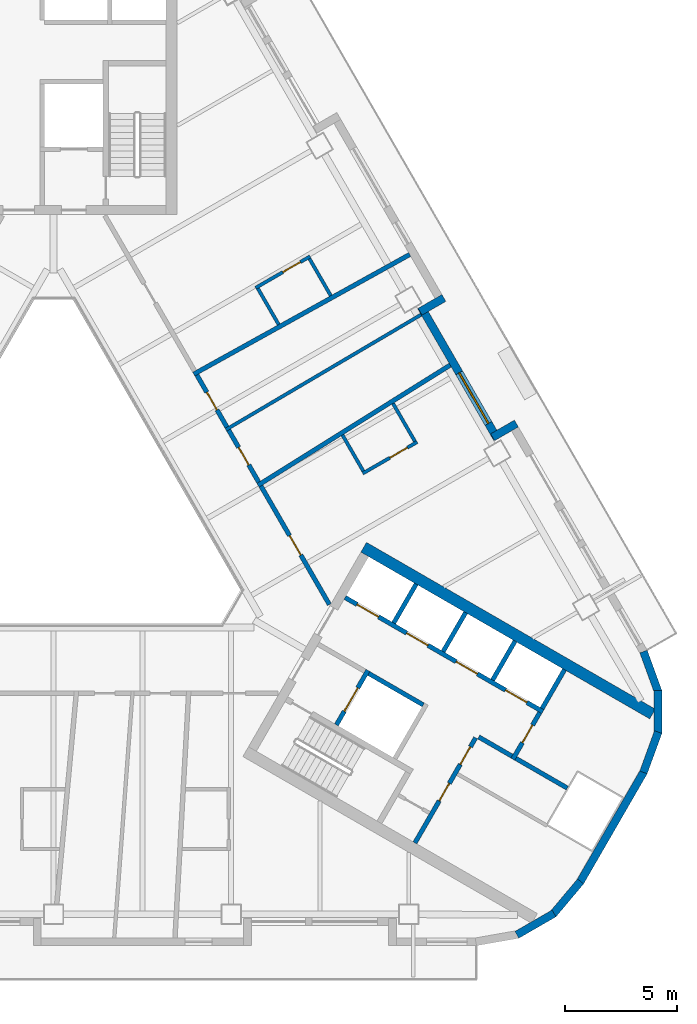
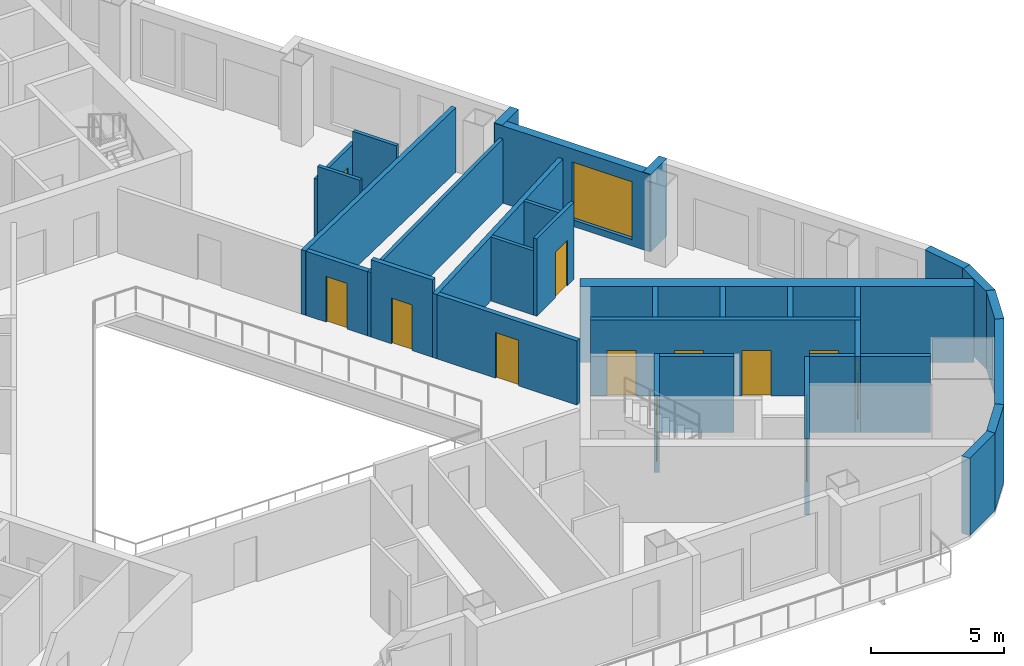
# One storey, part 5 of 13: 33 walls, 13 doors, 1 window, 14 openings.
"""IFC4 building model written with IfcOpenShell, lengths in metres."""

import ifcopenshell
import ifcopenshell.guid

model = None  # the IFC model being written
_history = None  # IfcOwnerHistory: only IFC2X3 demands one
_inside = {}  # id of a spatial element -> (the spatial element, [elements in it])
_under = {}  # id of a project, library or spatial element -> (it, [spatial elements below it])
_declared = {}  # id of a project -> (the project, [libraries it declares])
_typed = {}  # id of a type object -> (the type object, [elements of that type])
_made_of = {}  # id of a material, layer set ... -> (it, [elements and type objects made of it])


def new_model(schema):
    """Start an empty IFC model of exactly this schema.

    Asked for "IFC4X3", IfcOpenShell would pick the latest addendum, in which some entities
    have other attributes; the version numbers below select the first issue.
    IFC2X3 requires an IfcOwnerHistory on every rooted entity: one is made here for all.
    """
    global model, _history
    if schema == "IFC4X3":
        model = ifcopenshell.file(schema_version=(4, 3, 0, 0))
    else:
        model = ifcopenshell.file(schema=schema)
    _inside.clear()
    _under.clear()
    _declared.clear()
    _typed.clear()
    _made_of.clear()
    _history = None
    if model.schema == "IFC2X3":
        org = make("IfcOrganization", Name="unknown")
        user = make(
            "IfcPersonAndOrganization",
            ThePerson=make("IfcPerson", FamilyName="unknown"),
            TheOrganization=org,
        )
        app = make(
            "IfcApplication",
            ApplicationDeveloper=org,
            Version="unknown",
            ApplicationFullName="unknown",
            ApplicationIdentifier="unknown",
        )
        _history = make(
            "IfcOwnerHistory",
            OwningUser=user,
            OwningApplication=app,
            ChangeAction="ADDED",
            CreationDate=0,
        )
    return model


def make(cls, **values):
    """One entity of the class cls with the attributes given. An attribute that is None is left unset."""
    return model.create_entity(
        cls, **{name: value for name, value in values.items() if value is not None}
    )


def rooted(cls, **values):
    """An entity with a GlobalId (a new one), such as an element, a storey or a relation."""
    return make(cls, GlobalId=ifcopenshell.guid.new(), OwnerHistory=_history, **values)


def si_unit(unit_type, name, prefix=None):
    """IfcSIUnit, for example si_unit("LENGTHUNIT", "METRE", prefix="MILLI")."""
    return make("IfcSIUnit", UnitType=unit_type, Prefix=prefix, Name=name)


def assignment(units):
    """IfcUnitAssignment: the units of a project."""
    return None if units is None else make("IfcUnitAssignment", Units=units)


def point(xyz):
    """IfcCartesianPoint."""
    return None if xyz is None else make("IfcCartesianPoint", Coordinates=xyz)


def direction(xyz):
    """IfcDirection."""
    return None if xyz is None else make("IfcDirection", DirectionRatios=xyz)


def frame(location, z_axis=None, x_axis=None):
    """IfcAxis2Placement3D, a coordinate frame: its origin and axes. An axis left out is left unset."""
    return make(
        "IfcAxis2Placement3D",
        Location=point(location),
        Axis=direction(z_axis),
        RefDirection=direction(x_axis),
    )


def frame_2d(location, x_axis=None):
    """IfcAxis2Placement2D, a coordinate frame in the plane: its origin and x axis."""
    return make(
        "IfcAxis2Placement2D", Location=point(location), RefDirection=direction(x_axis)
    )


def origin():
    """The frame at (0, 0, 0) with its axes left unset."""
    return frame((0.0, 0.0, 0.0))


def place(relative_to, where):
    """IfcLocalPlacement: puts the frame where relative to a parent placement (None: the world)."""
    return make(
        "IfcLocalPlacement", PlacementRelTo=relative_to, RelativePlacement=where
    )


def context(
    kind, dimensions, precision=None, world=None, true_north=None, identifier=None
):
    """IfcGeometricRepresentationContext, for example the 3D "Model" context."""
    return make(
        "IfcGeometricRepresentationContext",
        ContextIdentifier=identifier,
        ContextType=kind,
        CoordinateSpaceDimension=dimensions,
        Precision=precision,
        WorldCoordinateSystem=world,
        TrueNorth=true_north,
    )


def subcontext(parent, identifier, kind, view, scale=None):
    """IfcGeometricRepresentationSubContext, for example "Body" below "Model"."""
    return make(
        "IfcGeometricRepresentationSubContext",
        ContextIdentifier=identifier,
        ContextType=kind,
        ParentContext=parent,
        TargetScale=scale,
        TargetView=view,
    )


def project(units=None, contexts=None):
    """IfcProject with its units and contexts."""
    return rooted(
        "IfcProject",
        Name="project",
        RepresentationContexts=contexts,
        UnitsInContext=assignment(units),
    )


def spatial(cls, under=None, at=None, **own):
    """A site, building, storey or space (cls), placed at a placement, below another one or the project."""
    s = rooted(cls, ObjectPlacement=at, **own)
    if under is not None:
        _under.setdefault(under.id(), (under, []))[1].append(s)
    return s


def profile(cls, at=None, kind="AREA", **sizes):
    """A parametric profile (cls). Its sizes go by their IFC names, for example OverallWidth=200.0."""
    return make(cls, ProfileType=kind, Position=at, **sizes)


def rectangle(**sizes):
    """IfcRectangleProfileDef."""
    return profile("IfcRectangleProfileDef", **sizes)


def extrude(swept, where, along, depth):
    """IfcExtrudedAreaSolid: the profile swept, set in the frame where, extruded along a direction by depth."""
    return make(
        "IfcExtrudedAreaSolid",
        SweptArea=swept,
        Position=where,
        ExtrudedDirection=direction(along),
        Depth=depth,
    )


def shape(context_of_items, identifier, shape_type, items):
    """IfcShapeRepresentation: the items that make up one representation, for example the "Body"."""
    return make(
        "IfcShapeRepresentation",
        ContextOfItems=context_of_items,
        RepresentationIdentifier=identifier,
        RepresentationType=shape_type,
        Items=items,
    )


def material(Name=None, Category=None):
    """IfcMaterial."""
    return make("IfcMaterial", Name=Name, Category=Category)


def layer(
    of_material, thickness, ventilated=None, Name=None, Category=None, Priority=None
):
    """IfcMaterialLayer: one layer of a wall or slab, of a material (None: an air gap)."""
    return make(
        "IfcMaterialLayer",
        Material=of_material,
        LayerThickness=thickness,
        IsVentilated=ventilated,
        Name=Name,
        Category=Category,
        Priority=Priority,
    )


def layer_set(layers, Name=None):
    """IfcMaterialLayerSet."""
    return make("IfcMaterialLayerSet", MaterialLayers=layers, LayerSetName=Name)


def made_of(thing, what):
    """Note that an element or type object is made of a material, layer set ...; save() writes the relation."""
    if what is not None:
        _made_of.setdefault(what.id(), (what, []))[1].append(thing)
    return thing


def type_object(cls, material=None, **own):
    """A type object (cls), such as IfcWallType, which elements share."""
    return made_of(rooted(cls, **own), material)


def element(
    cls,
    number,
    at=None,
    inside=None,
    cuts=None,
    type_object=None,
    material=None,
    context=None,
    identifier="Body",
    shape_type=None,
    held_by="IfcProductDefinitionShape",
    body=None,
    shapes=None,
    **own,
):
    """One element of the class cls, such as IfcWall. Its Tag is "e" and its number.

    at: its placement. inside: the storey or other place that contains it. cuts: it is an
    opening in that element (IfcRelVoidsElement). A single representation is given by context,
    identifier, shape_type and body (its items); several are given by shapes. held_by: the class
    of the entity that holds the representations. save() writes the other relations.
    """
    e = rooted(cls, Tag="e%d" % number, ObjectPlacement=at, **own)
    if body is not None:
        shapes = [shape(context, identifier, shape_type, body)]
    if shapes is not None:
        e.Representation = make(held_by, Representations=shapes)
    if inside is not None:
        _inside.setdefault(inside.id(), (inside, []))[1].append(e)
    if cuts is not None:
        rooted(
            "IfcRelVoidsElement", RelatingBuildingElement=cuts, RelatedOpeningElement=e
        )
    if type_object is not None:
        _typed.setdefault(type_object.id(), (type_object, []))[1].append(e)
    return made_of(e, material)


def fill(opening, filler):
    """IfcRelFillsElement: the door or window that sits in an opening."""
    return rooted(
        "IfcRelFillsElement",
        RelatingOpeningElement=opening,
        RelatedBuildingElement=filler,
    )


def aggregate(whole, parts):
    """IfcRelAggregates: a whole, such as a stair, and the parts it consists of."""
    return rooted("IfcRelAggregates", RelatingObject=whole, RelatedObjects=parts)


def save(model, path):
    """Write the relations noted so far, then the file.

    IfcRelAggregates (storeys below a building ...), IfcRelContainedInSpatialStructure (elements
    in a storey), IfcRelDefinesByType, IfcRelAssociatesMaterial and IfcRelDeclares: one each for
    every whole, place, type object, material and project.
    """
    for whole, parts in _under.values():
        aggregate(whole, parts)
    for where, things in _inside.values():
        rooted(
            "IfcRelContainedInSpatialStructure",
            RelatedElements=things,
            RelatingStructure=where,
        )
    for kind, things in _typed.values():
        rooted("IfcRelDefinesByType", RelatedObjects=things, RelatingType=kind)
    for what, things in _made_of.values():
        rooted("IfcRelAssociatesMaterial", RelatedObjects=things, RelatingMaterial=what)
    for by, libraries in _declared.values():
        rooted("IfcRelDeclares", RelatingContext=by, RelatedDefinitions=libraries)
    model.write(path)


model = new_model("IFC4")

# Units and contexts
model_context = context("Model", 3, precision=1e-05, world=origin(), true_north=direction((0.0, 1.0)))
body_context = subcontext(model_context, "Body", "Model", "MODEL_VIEW")
ifc_project = project(units=[si_unit("LENGTHUNIT", "METRE"), si_unit("AREAUNIT", "SQUARE_METRE"), si_unit("VOLUMEUNIT", "CUBIC_METRE"), si_unit("PLANEANGLEUNIT", "RADIAN"), si_unit("MASSUNIT", "GRAM", prefix="KILO")], contexts=[model_context])

# Site, building, storey
site_placement = place(None, origin())
site = spatial("IfcSite", under=ifc_project, at=site_placement, CompositionType="ELEMENT")
building_placement = place(site_placement, origin())
building = spatial("IfcBuilding", under=site, at=building_placement, Name="Apuvela Tower Hotel", CompositionType="ELEMENT")
storey_placement = place(building_placement, frame((0.0, 0.0, 124.199951171875)))
storey = spatial("IfcBuildingStorey", under=building, at=storey_placement, Name="L29", CompositionType="ELEMENT", Elevation=124.199951171875)

# Wall
ifc_material_1 = material(Name="Concrete C50/60", Category="concrete")
ifc_layer_1 = layer(ifc_material_1, 0.5)
ifc_layer_set_1 = layer_set([ifc_layer_1], Name="COR-WALL-CORE-500")
wall_type_1 = type_object("IfcWallType", Name="COR-WALL-CORE-500", PredefinedType="SHEAR", material=ifc_layer_set_1)
wall_1_placement = place(storey_placement, frame((13.796630859375, -1.9033203125, 0.0), z_axis=(0.0, 0.0, 1.0), x_axis=(0.866025009528, -0.500000682871, 0.0)))
element("IfcWall", 1, at=wall_1_placement, inside=storey, type_object=wall_type_1, Name="Core wall SE", PredefinedType="SHEAR", context=body_context, shape_type="SweptSolid", body=[
    extrude(rectangle(XDim=14.8369140625, YDim=0.5, at=frame_2d((7.41845703125, 0.0))), origin(), (0.0, 0.0, 1.0), 3.5),
])

# Wall, openings, doors
ifc_material_2 = material(Name="Blockwork 200 mm plastered", Category="masonry")
ifc_layer_2 = layer(ifc_material_2, 0.199951171875)
ifc_layer_set_2 = layer_set([ifc_layer_2], Name="COR-WALL-PART-200")
wall_type_2 = type_object("IfcWallType", Name="COR-WALL-PART-200", PredefinedType="PARTITIONING", material=ifc_layer_set_2)
wall_2_placement = place(storey_placement, frame((16.076171875, -15.05517578125, 0.0), z_axis=(0.0, 0.0, 1.0), x_axis=(0.499995103361, 0.866028230842, 0.0)))
wall_2 = element("IfcWall", 2, at=wall_2_placement, inside=storey, type_object=wall_type_2, Name="Partition SE", PredefinedType="PARTITIONING", context=body_context, shape_type="SweptSolid", body=[
    extrude(rectangle(XDim=5.39990234375, YDim=0.199951171875, at=frame_2d((2.699951171875, 0.0))), origin(), (0.0, 0.0, 1.0), 3.5),
])
opening_1_placement = place(wall_2_placement, frame((2.16259765625, 0.0, 0.0)))
opening_1 = element("IfcOpeningElement", 3, at=opening_1_placement, cuts=wall_2, Name="Opening E-RS1", PredefinedType="OPENING", context=body_context, shape_type="SweptSolid", body=[
    extrude(rectangle(XDim=0.89990234375, YDim=2.10009765625, at=frame_2d((0.449951171875, 1.050048828125))), frame((0.0, 0.10986328125, 0.0), z_axis=(0.0, -1.0, 0.0), x_axis=(1.0, 0.0, 0.0)), (0.0, 0.0, 1.0), 0.219970703125),
])
opening_2_placement = place(wall_2_placement, frame((4.03759765625, 0.0, 0.0)))
opening_2 = element("IfcOpeningElement", 4, at=opening_2_placement, cuts=wall_2, Name="Opening E-RS2", PredefinedType="OPENING", context=body_context, shape_type="SweptSolid", body=[
    extrude(rectangle(XDim=0.89990234375, YDim=2.10009765625, at=frame_2d((0.449951171875, 1.050048828125))), frame((0.0, 0.10986328125, 0.0), z_axis=(0.0, -1.0, 0.0), x_axis=(1.0, 0.0, 0.0)), (0.0, 0.0, 1.0), 0.219970703125),
])
ifc_material_3 = material(Name="Steel fire door, powder coated", Category="steel")
door_type_1 = type_object("IfcDoorType", Name="COR-DR-900", OperationType="NOTDEFINED", PredefinedType="DOOR", material=ifc_material_3)
door_1_placement = place(opening_1_placement, frame((0.89990234375, 0.0, 0.0), z_axis=(0.0, 0.0, 1.0), x_axis=(-1.0, 0.0, 0.0)))
door_1 = element("IfcDoor", 5, at=door_1_placement, inside=storey, type_object=door_type_1, Name="Store door E-RS1", OperationType="SINGLE_SWING_LEFT", OverallHeight=2.10009765625, OverallWidth=0.89990234375, PredefinedType="DOOR", context=body_context, shape_type="SweptSolid", body=[
    extrude(rectangle(XDim=0.89990234375, YDim=2.10009765625, at=frame_2d((0.449951171875, 1.050048828125))), frame((0.0, 0.02490234375, 0.0), z_axis=(0.0, -1.0, 0.0), x_axis=(1.0, 0.0, 0.0)), (0.0, 0.0, 1.0), 0.050048828125),
])
fill(opening_1, door_1)
door_2_placement = place(opening_2_placement, frame((0.89990234375, 0.0, 0.0), z_axis=(0.0, 0.0, 1.0), x_axis=(-1.0, 0.0, 0.0)))
door_2 = element("IfcDoor", 6, at=door_2_placement, inside=storey, type_object=door_type_1, Name="Store door E-RS2", OperationType="SINGLE_SWING_LEFT", OverallHeight=2.10009765625, OverallWidth=0.89990234375, PredefinedType="DOOR", context=body_context, shape_type="SweptSolid", body=[
    extrude(rectangle(XDim=0.89990234375, YDim=2.10009765625, at=frame_2d((0.449951171875, 1.050048828125))), frame((0.0, 0.02490234375, 0.0), z_axis=(0.0, -1.0, 0.0), x_axis=(1.0, 0.0, 0.0)), (0.0, 0.0, 1.0), 0.050048828125),
])
fill(opening_2, door_2)

# Wall, opening, door
ifc_layer_3 = layer(ifc_material_1, 0.199951171875)
ifc_layer_set_3 = layer_set([ifc_layer_3], Name="COR-WALL-SHAFT-200")
wall_type_3 = type_object("IfcWallType", Name="COR-WALL-SHAFT-200", PredefinedType="SHEAR", material=ifc_layer_set_3)
wall_3_placement = place(storey_placement, frame((12.583251953125, -9.805419921875, 0.0), z_axis=(0.0, 0.0, 1.0), x_axis=(0.49994636267, 0.866056369097, 0.0)))
wall_3 = element("IfcWall", 7, at=wall_3_placement, inside=storey, type_object=wall_type_3, Name="Shaft wall SE", PredefinedType="SHEAR", context=body_context, shape_type="SweptSolid", body=[
    extrude(rectangle(XDim=2.800048828125, YDim=0.199951171875, at=frame_2d((1.39990234375, 0.0))), origin(), (0.0, 0.0, 1.0), 3.5),
])
opening_3_placement = place(wall_3_placement, frame((0.699951171875, 0.0, 0.0)))
opening_3 = element("IfcOpeningElement", 8, at=opening_3_placement, cuts=wall_3, Name="Opening E-LD-FS3", PredefinedType="OPENING", context=body_context, shape_type="SweptSolid", body=[
    extrude(rectangle(XDim=1.199951171875, YDim=2.10009765625, at=frame_2d((0.60009765625, 1.050048828125))), frame((0.0, 0.10986328125, 0.0), z_axis=(0.0, -1.0, 0.0), x_axis=(1.0, 0.0, 0.0)), (0.0, 0.0, 1.0), 0.219970703125),
])
ifc_material_4 = material(Name="Stainless steel lift landing door", Category="steel")
door_type_2 = type_object("IfcDoorType", Name="COR-LD-1200", OperationType="DOUBLE_DOOR_SLIDING", PredefinedType="DOOR", material=ifc_material_4)
door_3_placement = place(opening_3_placement, origin())
door_3 = element("IfcDoor", 9, at=door_3_placement, inside=storey, type_object=door_type_2, Name="Lift landing door E-LD-FS3", OperationType="DOUBLE_DOOR_SLIDING", OverallHeight=2.10009765625, OverallWidth=1.199951171875, PredefinedType="DOOR", context=body_context, shape_type="SweptSolid", body=[
    extrude(rectangle(XDim=1.199951171875, YDim=2.10009765625, at=frame_2d((0.60009765625, 1.050048828125))), frame((0.0, 0.02490234375, 0.0), z_axis=(0.0, -1.0, 0.0), x_axis=(1.0, 0.0, 0.0)), (0.0, 0.0, 1.0), 0.050048828125),
])
fill(opening_3, door_3)

# Wall
wall_4_placement = place(storey_placement, frame((14.019775390625, -7.51708984375, 0.0), z_axis=(0.0, 0.0, 1.0), x_axis=(0.866034573852, -0.49998411664, 0.0)))
element("IfcWall", 10, at=wall_4_placement, inside=storey, type_object=wall_type_3, Name="Shaft wall SE", PredefinedType="SHEAR", context=body_context, shape_type="SweptSolid", body=[
    extrude(rectangle(XDim=2.7998046875, YDim=0.199951171875, at=frame_2d((1.39990234375, 0.0))), origin(), (0.0, 0.0, 1.0), 3.5),
])

# Wall, openings, doors
wall_5_placement = place(storey_placement, frame((12.968017578125, -4.138427734375, 0.0), z_axis=(0.0, 0.0, 1.0), x_axis=(0.866028328073, -0.49999493495, 0.0)))
wall_5 = element("IfcWall", 11, at=wall_5_placement, inside=storey, type_object=wall_type_3, Name="Shaft wall SE", PredefinedType="SHEAR", context=body_context, shape_type="SweptSolid", body=[
    extrude(rectangle(XDim=10.16015625, YDim=0.199951171875, at=frame_2d((5.080078125, 0.0))), origin(), (0.0, 0.0, 1.0), 3.5),
])
opening_4_placement = place(wall_5_placement, frame((0.6201171875, 0.0, 0.0)))
opening_4 = element("IfcOpeningElement", 12, at=opening_4_placement, cuts=wall_5, Name="Opening E-LD-LR1", PredefinedType="OPENING", context=body_context, shape_type="SweptSolid", body=[
    extrude(rectangle(XDim=1.10009765625, YDim=2.10009765625, at=frame_2d((0.550048828125, 1.050048828125))), frame((0.0, 0.10986328125, 0.0), z_axis=(0.0, -1.0, 0.0), x_axis=(1.0, 0.0, 0.0)), (0.0, 0.0, 1.0), 0.219970703125),
])
opening_5_placement = place(wall_5_placement, frame((3.159912109375, 0.0, 0.0)))
opening_5 = element("IfcOpeningElement", 13, at=opening_5_placement, cuts=wall_5, Name="Opening E-LD-LR2", PredefinedType="OPENING", context=body_context, shape_type="SweptSolid", body=[
    extrude(rectangle(XDim=1.10009765625, YDim=2.10009765625, at=frame_2d((0.550048828125, 1.050048828125))), frame((0.0, 0.10986328125, 0.0), z_axis=(0.0, -1.0, 0.0), x_axis=(1.0, 0.0, 0.0)), (0.0, 0.0, 1.0), 0.219970703125),
])
opening_6_placement = place(wall_5_placement, frame((5.699951171875, 0.0, 0.0)))
opening_6 = element("IfcOpeningElement", 14, at=opening_6_placement, cuts=wall_5, Name="Opening E-LD-LR3", PredefinedType="OPENING", context=body_context, shape_type="SweptSolid", body=[
    extrude(rectangle(XDim=1.10009765625, YDim=2.10009765625, at=frame_2d((0.550048828125, 1.050048828125))), frame((0.0, 0.10986328125, 0.0), z_axis=(0.0, -1.0, 0.0), x_axis=(1.0, 0.0, 0.0)), (0.0, 0.0, 1.0), 0.219970703125),
])
opening_7_placement = place(wall_5_placement, frame((8.239990234375, 0.0, 0.0)))
opening_7 = element("IfcOpeningElement", 15, at=opening_7_placement, cuts=wall_5, Name="Opening E-LD-LR4", PredefinedType="OPENING", context=body_context, shape_type="SweptSolid", body=[
    extrude(rectangle(XDim=1.10009765625, YDim=2.10009765625, at=frame_2d((0.550048828125, 1.050048828125))), frame((0.0, 0.10986328125, 0.0), z_axis=(0.0, -1.0, 0.0), x_axis=(1.0, 0.0, 0.0)), (0.0, 0.0, 1.0), 0.219970703125),
])
door_type_3 = type_object("IfcDoorType", Name="COR-LD-1100", OperationType="DOUBLE_DOOR_SLIDING", PredefinedType="DOOR", material=ifc_material_4)
door_4_placement = place(opening_4_placement, origin())
door_4 = element("IfcDoor", 16, at=door_4_placement, inside=storey, type_object=door_type_3, Name="Lift landing door E-LD-LR1", OperationType="DOUBLE_DOOR_SLIDING", OverallHeight=2.10009765625, OverallWidth=1.10009765625, PredefinedType="DOOR", context=body_context, shape_type="SweptSolid", body=[
    extrude(rectangle(XDim=1.10009765625, YDim=2.10009765625, at=frame_2d((0.550048828125, 1.050048828125))), frame((0.0, 0.02490234375, 0.0), z_axis=(0.0, -1.0, 0.0), x_axis=(1.0, 0.0, 0.0)), (0.0, 0.0, 1.0), 0.050048828125),
])
fill(opening_4, door_4)
door_5_placement = place(opening_5_placement, origin())
door_5 = element("IfcDoor", 17, at=door_5_placement, inside=storey, type_object=door_type_3, Name="Lift landing door E-LD-LR2", OperationType="DOUBLE_DOOR_SLIDING", OverallHeight=2.10009765625, OverallWidth=1.10009765625, PredefinedType="DOOR", context=body_context, shape_type="SweptSolid", body=[
    extrude(rectangle(XDim=1.10009765625, YDim=2.10009765625, at=frame_2d((0.550048828125, 1.050048828125))), frame((0.0, 0.02490234375, 0.0), z_axis=(0.0, -1.0, 0.0), x_axis=(1.0, 0.0, 0.0)), (0.0, 0.0, 1.0), 0.050048828125),
])
fill(opening_5, door_5)
door_6_placement = place(opening_6_placement, origin())
door_6 = element("IfcDoor", 18, at=door_6_placement, inside=storey, type_object=door_type_3, Name="Lift landing door E-LD-LR3", OperationType="DOUBLE_DOOR_SLIDING", OverallHeight=2.10009765625, OverallWidth=1.10009765625, PredefinedType="DOOR", context=body_context, shape_type="SweptSolid", body=[
    extrude(rectangle(XDim=1.10009765625, YDim=2.10009765625, at=frame_2d((0.550048828125, 1.050048828125))), frame((0.0, 0.02490234375, 0.0), z_axis=(0.0, -1.0, 0.0), x_axis=(1.0, 0.0, 0.0)), (0.0, 0.0, 1.0), 0.050048828125),
])
fill(opening_6, door_6)
door_7_placement = place(opening_7_placement, origin())
door_7 = element("IfcDoor", 19, at=door_7_placement, inside=storey, type_object=door_type_3, Name="Lift landing door E-LD-LR4", OperationType="DOUBLE_DOOR_SLIDING", OverallHeight=2.10009765625, OverallWidth=1.10009765625, PredefinedType="DOOR", context=body_context, shape_type="SweptSolid", body=[
    extrude(rectangle(XDim=1.10009765625, YDim=2.10009765625, at=frame_2d((0.550048828125, 1.050048828125))), frame((0.0, 0.02490234375, 0.0), z_axis=(0.0, -1.0, 0.0), x_axis=(1.0, 0.0, 0.0)), (0.0, 0.0, 1.0), 0.050048828125),
])
fill(opening_7, door_7)

# Wall, opening, door
wall_6_placement = place(storey_placement, frame((20.430419921875, -11.33349609375, 0.0), z_axis=(0.0, 0.0, 1.0), x_axis=(0.500001309137, 0.866024647952, 0.0)))
wall_6 = element("IfcWall", 20, at=wall_6_placement, inside=storey, type_object=wall_type_3, Name="Shaft wall SE", PredefinedType="SHEAR", context=body_context, shape_type="SweptSolid", body=[
    extrude(rectangle(XDim=2.39990234375, YDim=0.199951171875, at=frame_2d((1.199951171875, 0.0))), origin(), (0.0, 0.0, 1.0), 3.5),
])
opening_8_placement = place(wall_6_placement, frame((0.85009765625, 0.0, 0.0)))
opening_8 = element("IfcOpeningElement", 21, at=opening_8_placement, cuts=wall_6, Name="Opening E-REP", PredefinedType="OPENING", context=body_context, shape_type="SweptSolid", body=[
    extrude(rectangle(XDim=0.89990234375, YDim=2.10009765625, at=frame_2d((0.449951171875, 1.050048828125))), frame((0.0, 0.10986328125, 0.0), z_axis=(0.0, -1.0, 0.0), x_axis=(1.0, 0.0, 0.0)), (0.0, 0.0, 1.0), 0.219970703125),
])
door_8_placement = place(opening_8_placement, frame((0.89990234375, 0.0, 0.0), z_axis=(0.0, 0.0, 1.0), x_axis=(-1.0, 0.0, 0.0)))
door_8 = element("IfcDoor", 22, at=door_8_placement, inside=storey, type_object=door_type_1, Name="Store door E-REP", OperationType="SINGLE_SWING_RIGHT", OverallHeight=2.10009765625, OverallWidth=0.89990234375, PredefinedType="DOOR", context=body_context, shape_type="SweptSolid", body=[
    extrude(rectangle(XDim=0.89990234375, YDim=2.10009765625, at=frame_2d((0.449951171875, 1.050048828125))), frame((0.0, 0.02490234375, 0.0), z_axis=(0.0, -1.0, 0.0), x_axis=(1.0, 0.0, 0.0)), (0.0, 0.0, 1.0), 0.050048828125),
])
fill(opening_8, door_8)

# Walls
wall_7_placement = place(storey_placement, frame((18.912841796875, -10.342041015625, 0.0), z_axis=(0.0, 0.0, 1.0), x_axis=(0.866038183914, -0.499977863513, 0.0)))
element("IfcWall", 23, at=wall_7_placement, inside=storey, type_object=wall_type_3, Name="Shaft wall SE", PredefinedType="SHEAR", context=body_context, shape_type="SweptSolid", body=[
    extrude(rectangle(XDim=1.7099609375, YDim=0.199951171875, at=frame_2d((0.85498046875, 0.0))), origin(), (0.0, 0.0, 1.0), 3.5),
])
for number, where, z_axis, x_axis, name in (
    (24, (15.131103515625, -5.27197265625, 0.0), (0.0, 0.0, 1.0), (0.499972520799, 0.866041268327, 0.0), "Shaft wall SE"),
    (25, (17.330810546875, -6.5419921875, 0.0), (0.0, 0.0, 1.0), (0.499972520799, 0.866041268327, 0.0), "Shaft wall SE"),
    (26, (19.530517578125, -7.81201171875, 0.0), (0.0, 0.0, 1.0), (0.499972520799, 0.866041268327, 0.0), "Shaft wall SE"),
    (27, (21.73046875, -9.081787109375, 0.0), (0.0, 0.0, 1.0), (0.50002537861, 0.866010750942, 0.0), "Shaft wall SE"),
):
    element("IfcWall", number, at=place(storey_placement, frame(where, z_axis=z_axis, x_axis=x_axis)), inside=storey, type_object=wall_type_3, Name=name, PredefinedType="SHEAR", context=body_context, shape_type="SweptSolid", body=[
        extrude(rectangle(XDim=2.0, YDim=0.199951171875, at=frame_2d((1.0, 0.0))), origin(), (0.0, 0.0, 1.0), 3.5),
    ])
wall_8_placement = place(storey_placement, frame((20.56689453125, -11.297119140625, 0.0), z_axis=(0.0, 0.0, 1.0), x_axis=(0.866060851709, -0.499938597367, 0.0)))
element("IfcWall", 28, at=wall_8_placement, inside=storey, type_object=wall_type_3, Name="Shaft wall SE", PredefinedType="SHEAR", context=body_context, shape_type="SweptSolid", body=[
    extrude(rectangle(XDim=2.639892578125, YDim=0.199951171875, at=frame_2d((1.31982421875, 0.0))), origin(), (0.0, 0.0, 1.0), 3.5),
])
ifc_material_5 = material(Name="Concrete C40/50, dark pigmented precast panel", Category="concrete")
ifc_layer_4 = layer(ifc_material_5, 0.35009765625)
ifc_layer_set_4 = layer_set([ifc_layer_4], Name="ENV-WALL-350")
wall_type_4 = type_object("IfcWallType", Name="ENV-WALL-350", PredefinedType="SOLIDWALL", material=ifc_layer_set_4)
for number, where, z_axis, x_axis, name in (
    (29, (20.609619140625, -19.146728515625, 0.0), (0.0, 0.0, 1.0), (0.866000389056, 0.500043324278, 0.0), "External wall L29-27"),
    (30, (22.21728515625, -18.230712890625, 0.0), (0.0, 0.0, 1.0), (0.642733291068, 0.76609001857, 0.0), "External wall L29-28"),
):
    element("IfcWall", number, at=place(storey_placement, frame(where, z_axis=z_axis, x_axis=x_axis)), inside=storey, type_object=wall_type_4, Name=name, PredefinedType="SOLIDWALL", context=body_context, shape_type="SweptSolid", body=[
        extrude(rectangle(XDim=1.909912109375, YDim=0.35009765625, at=frame_2d((0.955078125, 0.0))), origin(), (0.0, 0.0, 1.0), 3.550048828125),
    ])
wall_9_placement = place(storey_placement, frame((23.427490234375, -16.79248046875, 0.0), z_axis=(0.0, 0.0, 1.0), x_axis=(0.500018773155, 0.866014564827, 0.0)))
element("IfcWall", 31, at=wall_9_placement, inside=storey, type_object=wall_type_4, Name="External wall L29-29", PredefinedType="SOLIDWALL", context=body_context, shape_type="SweptSolid", body=[
    extrude(rectangle(XDim=5.657958984375, YDim=0.35009765625, at=frame_2d((2.8291015625, 0.0))), origin(), (0.0, 0.0, 1.0), 3.550048828125),
])
for number, where, z_axis, x_axis, name in (
    (32, (26.24365234375, -11.920166015625, 0.0), (0.0, 0.0, 1.0), (0.342030395486, 0.939688889242, 0.0), "External wall L29-30"),
    (33, (26.88623046875, -10.18505859375, 0.0), (0.0, 0.0, 1.0), (0.0, 1.0, 0.0), "External wall L29-31"),
    (34, (26.89697265625, -8.334716796875, 0.0), (0.0, 0.0, 1.0), (-0.342030395486, 0.939688889242, 0.0), "External wall L29-32"),
):
    element("IfcWall", number, at=place(storey_placement, frame(where, z_axis=z_axis, x_axis=x_axis)), inside=storey, type_object=wall_type_4, Name=name, PredefinedType="SOLIDWALL", context=body_context, shape_type="SweptSolid", body=[
        extrude(rectangle(XDim=1.91015625, YDim=0.35009765625, at=frame_2d((0.955078125, 0.0))), origin(), (0.0, 0.0, 1.0), 3.550048828125),
    ])
wall_10_placement = place(storey_placement, frame((20.587646484375, 3.601318359375, 0.0), z_axis=(0.0, 0.0, 1.0), x_axis=(-0.866005645448, -0.500034220881, 0.0)))
element("IfcWall", 35, at=wall_10_placement, inside=storey, type_object=wall_type_4, Name="External wall L29-34", PredefinedType="SOLIDWALL", context=body_context, shape_type="SweptSolid", body=[
    extrude(rectangle(XDim=1.22021484375, YDim=0.35009765625, at=frame_2d((0.610107421875, 0.0))), origin(), (0.0, 0.0, 1.0), 3.550048828125),
])

# Wall, opening, window
wall_11_placement = place(storey_placement, frame((19.72900390625, 2.93798828125, 0.0), z_axis=(0.0, 0.0, 1.0), x_axis=(-0.499976430342, 0.866039011305, 0.0)))
wall_11 = element("IfcWall", 36, at=wall_11_placement, inside=storey, type_object=wall_type_4, Name="External wall L29-35", PredefinedType="SOLIDWALL", context=body_context, shape_type="SweptSolid", body=[
    extrude(rectangle(XDim=6.739990234375, YDim=0.35009765625, at=frame_2d((3.3701171875, 0.0))), origin(), (0.0, 0.0, 1.0), 3.550048828125),
])
opening_9_placement = place(wall_11_placement, frame((0.77001953125, 0.0, 0.300048828125)))
opening_9 = element("IfcOpeningElement", 37, at=opening_9_placement, cuts=wall_11, Name="Opening WN26", PredefinedType="OPENING", context=body_context, shape_type="SweptSolid", body=[
    extrude(rectangle(XDim=2.60009765625, YDim=2.64990234375, at=frame_2d((1.300048828125, 1.324951171875))), frame((0.0, 0.18505859375, 0.0), z_axis=(0.0, -1.0, 0.0), x_axis=(1.0, 0.0, 0.0)), (0.0, 0.0, 1.0), 0.3701171875),
])
ifc_material_6 = material(Name="Glass, dark tinted laminated insulated glazing unit", Category="glass")
window_type = type_object("IfcWindowType", Name="ENV-WIN-2600x2650", PartitioningType="SINGLE_PANEL", PredefinedType="WINDOW", material=ifc_material_6)
window_placement = place(opening_9_placement, origin())
window = element("IfcWindow", 38, at=window_placement, inside=storey, type_object=window_type, Name="Window WN26", OverallHeight=2.64990234375, OverallWidth=2.60009765625, PartitioningType="SINGLE_PANEL", PredefinedType="WINDOW", context=body_context, shape_type="SweptSolid", body=[
    extrude(rectangle(XDim=2.60009765625, YDim=2.64990234375, at=frame_2d((1.300048828125, 1.324951171875))), frame((0.0, 0.030029296875, 0.0), z_axis=(0.0, -1.0, 0.0), x_axis=(1.0, 0.0, 0.0)), (0.0, 0.0, 1.0), 0.06005859375),
])
fill(opening_9, window)

# Walls
wall_12_placement = place(storey_placement, frame((16.305908203125, 8.5771484375, 0.0), z_axis=(0.0, 0.0, 1.0), x_axis=(0.866092288191, 0.499884134912, 0.0)))
element("IfcWall", 39, at=wall_12_placement, inside=storey, type_object=wall_type_4, Name="External wall L29-36", PredefinedType="SOLIDWALL", context=body_context, shape_type="SweptSolid", body=[
    extrude(rectangle(XDim=1.219970703125, YDim=0.35009765625, at=frame_2d((0.60986328125, 0.0))), origin(), (0.0, 0.0, 1.0), 3.550048828125),
])
ifc_material_7 = material(Name="Gypsum board partition on twin steel stud", Category="steel")
ifc_layer_5 = layer(ifc_material_7, 0.199951171875)
ifc_layer_set_5 = layer_set([ifc_layer_5], Name="GST-PW1")
wall_type_5 = type_object("IfcWallType", Name="GST-PW1", PredefinedType="PARTITIONING", material=ifc_layer_set_5)
wall_13_placement = place(storey_placement, frame((17.643310546875, 6.20068359375, 0.0), z_axis=(0.0, 0.0, 1.0), x_axis=(-0.84787317287, -0.530199097252, 0.0)))
element("IfcWall", 40, at=wall_13_placement, inside=storey, type_object=wall_type_5, Name="L29 partition 03", PredefinedType="PARTITIONING", context=body_context, shape_type="SweptSolid", body=[
    extrude(rectangle(XDim=10.086181640625, YDim=0.199951171875, at=frame_2d((5.04296875, 0.0))), origin(), (0.0, 0.0, 1.0), 2.949951171875),
])
wall_14_placement = place(storey_placement, frame((15.842041015625, 11.120849609375, 0.0), z_axis=(0.0, 0.0, 1.0), x_axis=(-0.87471248602, -0.484642204931, 0.0)))
element("IfcWall", 41, at=wall_14_placement, inside=storey, type_object=wall_type_5, Name="L29 partition 04", PredefinedType="PARTITIONING", context=body_context, shape_type="SweptSolid", body=[
    extrude(rectangle(XDim=10.98193359375, YDim=0.199951171875, at=frame_2d((5.490966796875, 0.0))), origin(), (0.0, 0.0, 1.0), 2.9599609375),
])

# Wall, opening, door
ifc_material_8 = material(Name="Gypsum board corridor wall on twin steel stud, acoustic", Category="steel")
ifc_layer_6 = layer(ifc_material_8, 0.199951171875)
ifc_layer_set_6 = layer_set([ifc_layer_6], Name="GST-PW2")
wall_type_6 = type_object("IfcWallType", Name="GST-PW2", PredefinedType="PARTITIONING", material=ifc_layer_set_6)
wall_15_placement = place(storey_placement, frame((9.226318359375, 0.8193359375, 0.0), z_axis=(0.0, 0.0, 1.0), x_axis=(0.500031571837, -0.866007175009, 0.0)))
wall_15 = element("IfcWall", 42, at=wall_15_placement, inside=storey, type_object=wall_type_6, Name="L29 partition 18", PredefinedType="PARTITIONING", context=body_context, shape_type="SweptSolid", body=[
    extrude(rectangle(XDim=6.08447265625, YDim=0.199951171875, at=frame_2d((3.042236328125, 0.0))), origin(), (0.0, 0.0, 1.0), 2.949951171875),
])
opening_10_placement = place(wall_15_placement, frame((2.542236328125, 0.0, 0.0)))
opening_10 = element("IfcOpeningElement", 43, at=opening_10_placement, cuts=wall_15, Name="Opening GD11-08", PredefinedType="OPENING", context=body_context, shape_type="SweptSolid", body=[
    extrude(rectangle(XDim=1.0, YDim=2.10009765625, at=frame_2d((0.5, 1.050048828125))), frame((0.0, 0.10986328125, 0.0), z_axis=(0.0, -1.0, 0.0), x_axis=(1.0, 0.0, 0.0)), (0.0, 0.0, 1.0), 0.219970703125),
])
ifc_material_9 = material(Name="Timber door leaf in steel frame", Category="steel")
door_type_4 = type_object("IfcDoorType", Name="GST-D1", OperationType="NOTDEFINED", PredefinedType="DOOR", material=ifc_material_9)
door_9_placement = place(opening_10_placement, origin())
door_9 = element("IfcDoor", 44, at=door_9_placement, inside=storey, type_object=door_type_4, Name="Door L29-08", OperationType="SINGLE_SWING_LEFT", OverallHeight=2.10009765625, OverallWidth=1.0, PredefinedType="DOOR", context=body_context, shape_type="SweptSolid", body=[
    extrude(rectangle(XDim=1.0, YDim=2.10009765625, at=frame_2d((0.5, 1.050048828125))), frame((0.0, 0.02490234375, 0.0), z_axis=(0.0, -1.0, 0.0), x_axis=(1.0, 0.0, 0.0)), (0.0, 0.0, 1.0), 0.050048828125),
])
fill(opening_10, door_9)

wall_16_placement = place(storey_placement, frame((7.78759765625, 3.3115234375, 0.0), z_axis=(0.0, 0.0, 1.0), x_axis=(0.499953984692, -0.866051969105, 0.0)))
wall_16 = element("IfcWall", 45, at=wall_16_placement, inside=storey, type_object=wall_type_6, Name="L29 partition 23", PredefinedType="PARTITIONING", context=body_context, shape_type="SweptSolid", body=[
    extrude(rectangle(XDim=2.677490234375, YDim=0.199951171875, at=frame_2d((1.3388671875, 0.0))), origin(), (0.0, 0.0, 1.0), 3.550048828125),
])
opening_11_placement = place(wall_16_placement, frame((0.888916015625, 0.0, 0.0)))
opening_11 = element("IfcOpeningElement", 46, at=opening_11_placement, cuts=wall_16, Name="Opening GD11-09", PredefinedType="OPENING", context=body_context, shape_type="SweptSolid", body=[
    extrude(rectangle(XDim=0.89990234375, YDim=2.10009765625, at=frame_2d((0.449951171875, 1.050048828125))), frame((0.0, 0.10986328125, 0.0), z_axis=(0.0, -1.0, 0.0), x_axis=(1.0, 0.0, 0.0)), (0.0, 0.0, 1.0), 0.219970703125),
])
door_type_5 = type_object("IfcDoorType", Name="GST-D2", OperationType="NOTDEFINED", PredefinedType="DOOR", material=ifc_material_9)
door_10_placement = place(opening_11_placement, origin())
door_10 = element("IfcDoor", 47, at=door_10_placement, inside=storey, type_object=door_type_5, Name="Door L29-09", OperationType="SINGLE_SWING_LEFT", OverallHeight=2.10009765625, OverallWidth=0.89990234375, PredefinedType="DOOR", context=body_context, shape_type="SweptSolid", body=[
    extrude(rectangle(XDim=0.89990234375, YDim=2.10009765625, at=frame_2d((0.449951171875, 1.050048828125))), frame((0.0, 0.02490234375, 0.0), z_axis=(0.0, -1.0, 0.0), x_axis=(1.0, 0.0, 0.0)), (0.0, 0.0, 1.0), 0.050048828125),
])
fill(opening_11, door_10)

wall_17_placement = place(storey_placement, frame((6.373779296875, 5.760498046875, 0.0), z_axis=(0.0, 0.0, 1.0), x_axis=(0.499982891145, -0.866035281361, 0.0)))
wall_17 = element("IfcWall", 48, at=wall_17_placement, inside=storey, type_object=wall_type_6, Name="L29 partition 24", PredefinedType="PARTITIONING", context=body_context, shape_type="SweptSolid", body=[
    extrude(rectangle(XDim=2.677734375, YDim=0.199951171875, at=frame_2d((1.3388671875, 0.0))), origin(), (0.0, 0.0, 1.0), 2.949951171875),
])
opening_12_placement = place(wall_17_placement, frame((0.888916015625, 0.0, 0.0)))
opening_12 = element("IfcOpeningElement", 49, at=opening_12_placement, cuts=wall_17, Name="Opening GD11-10", PredefinedType="OPENING", context=body_context, shape_type="SweptSolid", body=[
    extrude(rectangle(XDim=0.89990234375, YDim=2.10009765625, at=frame_2d((0.449951171875, 1.050048828125))), frame((0.0, 0.10986328125, 0.0), z_axis=(0.0, -1.0, 0.0), x_axis=(1.0, 0.0, 0.0)), (0.0, 0.0, 1.0), 0.219970703125),
])
door_11_placement = place(opening_12_placement, origin())
door_11 = element("IfcDoor", 50, at=door_11_placement, inside=storey, type_object=door_type_5, Name="Door L29-10", OperationType="SINGLE_SWING_RIGHT", OverallHeight=2.10009765625, OverallWidth=0.89990234375, PredefinedType="DOOR", context=body_context, shape_type="SweptSolid", body=[
    extrude(rectangle(XDim=0.89990234375, YDim=2.10009765625, at=frame_2d((0.449951171875, 1.050048828125))), frame((0.0, 0.02490234375, 0.0), z_axis=(0.0, -1.0, 0.0), x_axis=(1.0, 0.0, 0.0)), (0.0, 0.0, 1.0), 0.050048828125),
])
fill(opening_12, door_11)

ifc_material_10 = material(Name="Moisture-resistant gypsum board wet wall on steel stud", Category="steel")
ifc_layer_7 = layer(ifc_material_10, 0.14990234375)
ifc_layer_set_7 = layer_set([ifc_layer_7], Name="GST-PW3")
wall_type_7 = type_object("IfcWallType", Name="GST-PW3", PredefinedType="PARTITIONING", material=ifc_layer_set_7)
wall_18_placement = place(storey_placement, frame((13.752197265625, 1.380615234375, 0.0), z_axis=(0.0, 0.0, 1.0), x_axis=(0.866034573852, 0.49998411664, 0.0)))
wall_18 = element("IfcWall", 51, at=wall_18_placement, inside=storey, type_object=wall_type_7, Name="L29 partition 19", PredefinedType="PARTITIONING", context=body_context, shape_type="SweptSolid", body=[
    extrude(rectangle(XDim=2.7998046875, YDim=0.14990234375, at=frame_2d((1.39990234375, 0.0))), origin(), (0.0, 0.0, 1.0), 3.550048828125),
])
opening_13_placement = place(wall_18_placement, frame((1.39990234375, 0.0, 0.0)))
opening_13 = element("IfcOpeningElement", 52, at=opening_13_placement, cuts=wall_18, Name="Opening GD11-07", PredefinedType="OPENING", context=body_context, shape_type="SweptSolid", body=[
    extrude(rectangle(XDim=0.89990234375, YDim=2.10009765625, at=frame_2d((0.449951171875, 1.050048828125))), frame((0.0, 0.0849609375, 0.0), z_axis=(0.0, -1.0, 0.0), x_axis=(1.0, 0.0, 0.0)), (0.0, 0.0, 1.0), 0.169921875),
])
door_12_placement = place(opening_13_placement, origin())
door_12 = element("IfcDoor", 53, at=door_12_placement, inside=storey, type_object=door_type_5, Name="Door L29-07", OperationType="SINGLE_SWING_RIGHT", OverallHeight=2.10009765625, OverallWidth=0.89990234375, PredefinedType="DOOR", context=body_context, shape_type="SweptSolid", body=[
    extrude(rectangle(XDim=0.89990234375, YDim=2.10009765625, at=frame_2d((0.449951171875, 1.050048828125))), frame((0.0, 0.02490234375, 0.0), z_axis=(0.0, -1.0, 0.0), x_axis=(1.0, 0.0, 0.0)), (0.0, 0.0, 1.0), 0.050048828125),
])
fill(opening_13, door_12)

# Walls
wall_19_placement = place(storey_placement, frame((16.07470703125, 2.80810546875, 0.0), z_axis=(0.0, 0.0, 1.0), x_axis=(-0.500051850797, 0.865995465643, 0.0)))
element("IfcWall", 54, at=wall_19_placement, inside=storey, type_object=wall_type_7, Name="L29 partition 20", PredefinedType="PARTITIONING", context=body_context, shape_type="SweptSolid", body=[
    extrude(rectangle(XDim=1.946044921875, YDim=0.14990234375, at=frame_2d((0.97314453125, 0.0))), origin(), (0.0, 0.0, 1.0), 2.949951171875),
])
wall_20_placement = place(storey_placement, frame((13.779541015625, 1.48291015625, 0.0), z_axis=(0.0, 0.0, 1.0), x_axis=(-0.499965806267, 0.866045144646, 0.0)))
element("IfcWall", 55, at=wall_20_placement, inside=storey, type_object=wall_type_7, Name="L29 partition 21", PredefinedType="PARTITIONING", context=body_context, shape_type="SweptSolid", body=[
    extrude(rectangle(XDim=1.852783203125, YDim=0.14990234375, at=frame_2d((0.92626953125, 0.0))), origin(), (0.0, 0.0, 1.0), 2.949951171875),
])
wall_21_placement = place(storey_placement, frame((16.34912109375, 8.442626953125, 0.0), z_axis=(0.0, 0.0, 1.0), x_axis=(-0.861589721102, -0.507605311724, 0.0)))
element("IfcWall", 56, at=wall_21_placement, inside=storey, type_object=wall_type_7, Name="L29 partition 22", PredefinedType="PARTITIONING", context=body_context, shape_type="SweptSolid", body=[
    extrude(rectangle(XDim=10.08056640625, YDim=0.14990234375, at=frame_2d((5.040283203125, 0.0))), origin(), (0.0, 0.0, 1.0), 2.9599609375),
])

# Wall, opening, door
wall_22_placement = place(storey_placement, frame((11.410400390625, 11.03662109375, 0.0), z_axis=(0.0, 0.0, 1.0), x_axis=(-0.866034573852, -0.49998411664, 0.0)))
wall_22 = element("IfcWall", 57, at=wall_22_placement, inside=storey, type_object=wall_type_7, Name="L29 partition 26", PredefinedType="PARTITIONING", context=body_context, shape_type="SweptSolid", body=[
    extrude(rectangle(XDim=2.7998046875, YDim=0.14990234375, at=frame_2d((1.39990234375, 0.0))), origin(), (0.0, 0.0, 1.0), 2.949951171875),
])
opening_14_placement = place(wall_22_placement, frame((0.5, 0.0, 0.0)))
opening_14 = element("IfcOpeningElement", 58, at=opening_14_placement, cuts=wall_22, Name="Opening GD11-11", PredefinedType="OPENING", context=body_context, shape_type="SweptSolid", body=[
    extrude(rectangle(XDim=0.89990234375, YDim=2.10009765625, at=frame_2d((0.449951171875, 1.050048828125))), frame((0.0, 0.0849609375, 0.0), z_axis=(0.0, -1.0, 0.0), x_axis=(1.0, 0.0, 0.0)), (0.0, 0.0, 1.0), 0.169921875),
])
door_13_placement = place(opening_14_placement, origin())
door_13 = element("IfcDoor", 59, at=door_13_placement, inside=storey, type_object=door_type_5, Name="Door L29-11", OperationType="SINGLE_SWING_LEFT", OverallHeight=2.10009765625, OverallWidth=0.89990234375, PredefinedType="DOOR", context=body_context, shape_type="SweptSolid", body=[
    extrude(rectangle(XDim=0.89990234375, YDim=2.10009765625, at=frame_2d((0.449951171875, 1.050048828125))), frame((0.0, 0.02490234375, 0.0), z_axis=(0.0, -1.0, 0.0), x_axis=(1.0, 0.0, 0.0)), (0.0, 0.0, 1.0), 0.050048828125),
])
fill(opening_14, door_13)

# Walls
wall_23_placement = place(storey_placement, frame((12.33203125, 9.290283203125, 0.0), z_axis=(0.0, 0.0, 1.0), x_axis=(-0.499971120268, 0.866042076863, 0.0)))
element("IfcWall", 60, at=wall_23_placement, inside=storey, type_object=wall_type_7, Name="L29 partition 27", PredefinedType="PARTITIONING", context=body_context, shape_type="SweptSolid", body=[
    extrude(rectangle(XDim=1.89794921875, YDim=0.14990234375, at=frame_2d((0.948974609375, 0.0))), origin(), (0.0, 0.0, 1.0), 3.550048828125),
])
wall_24_placement = place(storey_placement, frame((10.013671875, 8.005859375, 0.0), z_axis=(0.0, 0.0, 1.0), x_axis=(-0.500053484023, 0.865994522568, 0.0)))
element("IfcWall", 61, at=wall_24_placement, inside=storey, type_object=wall_type_7, Name="L29 partition 28", PredefinedType="PARTITIONING", context=body_context, shape_type="SweptSolid", body=[
    extrude(rectangle(XDim=1.851318359375, YDim=0.14990234375, at=frame_2d((0.92578125, 0.0))), origin(), (0.0, 0.0, 1.0), 3.550048828125),
])

save(model, "model.ifc")
